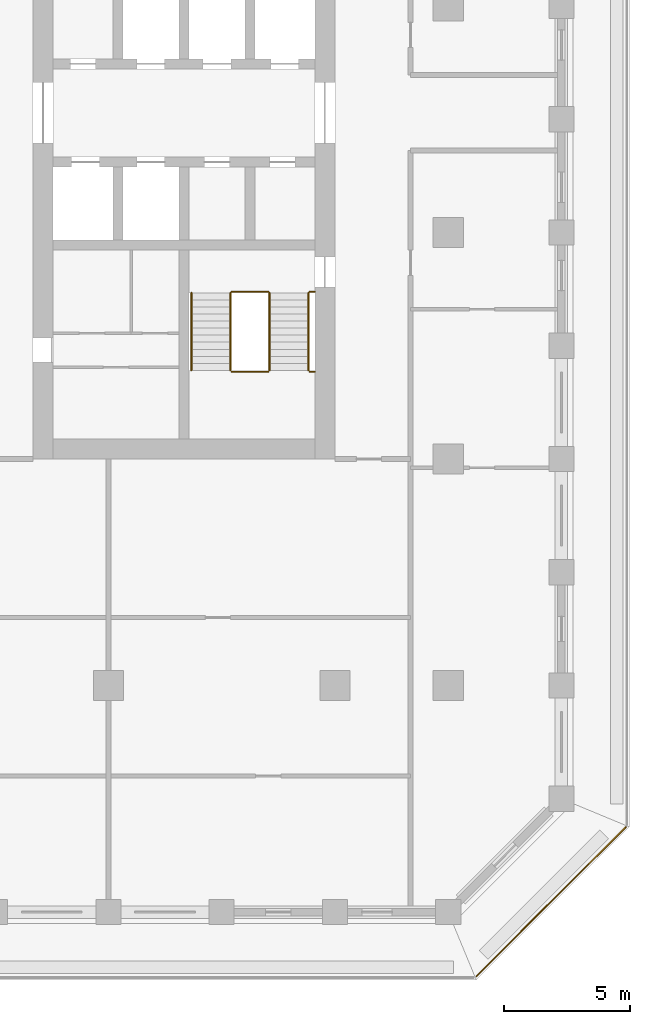
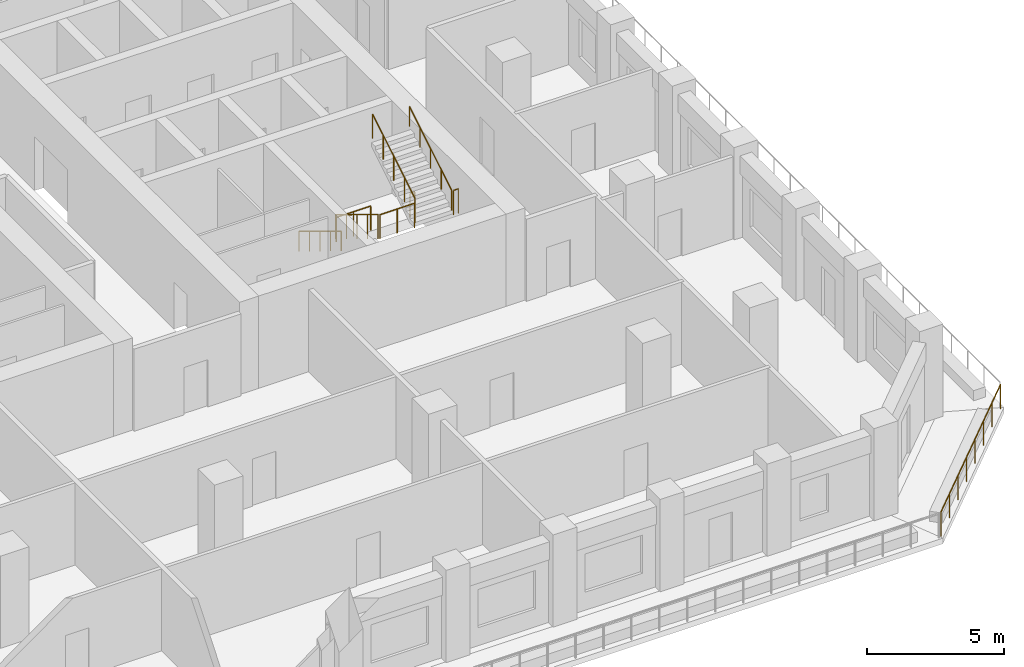
# One storey, part 11 of 16: 9 railings.
"""IFC4 building model written with IfcOpenShell, lengths in metres."""

from ifc_helpers import new_model, si_unit, direction, frame, origin, origin_2d, place, context, subcontext, project, spatial, circle, extrude, material, type_object, element, save


model = new_model("IFC4")

# Units and contexts
model_context = context("Model", 3, precision=1e-05, world=origin(), true_north=direction((0.0, 1.0)))
body_context = subcontext(model_context, "Body", "Model", "MODEL_VIEW")
ifc_project = project(units=[si_unit("LENGTHUNIT", "METRE"), si_unit("AREAUNIT", "SQUARE_METRE"), si_unit("VOLUMEUNIT", "CUBIC_METRE"), si_unit("PLANEANGLEUNIT", "RADIAN"), si_unit("MASSUNIT", "GRAM", prefix="KILO")], contexts=[model_context])

# Site, building, storey
site_placement = place(None, origin())
site = spatial("IfcSite", under=ifc_project, at=site_placement, CompositionType="ELEMENT")
building_placement = place(site_placement, origin())
building = spatial("IfcBuilding", under=site, at=building_placement, Name="Corbel Stack Research Tower", CompositionType="ELEMENT")
storey_placement = place(building_placement, frame((0.0, 0.0, 177.300048828125)))
storey = spatial("IfcBuildingStorey", under=building, at=storey_placement, Name="L40", CompositionType="ELEMENT", Elevation=177.300048828125)

# Railings
ifc_material_1 = material(Name="Steel S355", Category="steel")
railing_type_1 = type_object("IfcRailingType", Name="Stair guard 1100", PredefinedType="GUARDRAIL", material=ifc_material_1)
railing_1_placement = place(storey_placement, frame((13.85009765625, -2.39990234375, 0.1708984375)))
element("IfcRailing", 1, at=railing_1_placement, inside=storey, type_object=railing_type_1, Name="L40 ST-E1 stair guard 1", PredefinedType="GUARDRAIL", context=body_context, shape_type="SweptSolid", body=[
    extrude(circle(Radius=0.02392578125, at=origin_2d()), frame((0.0, 0.0, 1.076171875), z_axis=(0.0, -0.853666305674, 0.52082035152), x_axis=(1.0, 0.0, 0.0)), (0.0, 0.0, 1.0), 3.608154296875),
    extrude(circle(Radius=0.02099609375, at=origin_2d()), origin(), (0.0, 0.0, 1.0), 1.052001953125),
    extrude(circle(Radius=0.02099609375, at=origin_2d()), frame((0.0, -0.77001953125, 0.4697265625)), (0.0, 0.0, 1.0), 1.052001953125),
    extrude(circle(Radius=0.02099609375, at=origin_2d()), frame((0.0, -1.5400390625, 0.939453125)), (0.0, 0.0, 1.0), 1.052001953125),
    extrude(circle(Radius=0.02099609375, at=origin_2d()), frame((0.0, -2.31005859375, 1.409423828125)), (0.0, 0.0, 1.0), 1.052001953125),
    extrude(circle(Radius=0.02099609375, at=origin_2d()), frame((0.0, -3.080078125, 1.879150390625)), (0.0, 0.0, 1.0), 1.052001953125),
])
railing_2_placement = place(storey_placement, frame((13.89990234375, -5.530029296875, 2.050048828125)))
element("IfcRailing", 2, at=railing_2_placement, inside=storey, type_object=railing_type_1, Name="L40 ST-E1 stair guard 2", PredefinedType="GUARDRAIL", context=body_context, shape_type="SweptSolid", body=[
    extrude(circle(Radius=0.02392578125, at=origin_2d()), frame((0.0, 0.0, 1.076171875), z_axis=(1.0, 0.0, 0.0), x_axis=(0.0, 1.0, 0.0)), (0.0, 0.0, 1.0), 1.4501953125),
    extrude(circle(Radius=0.02099609375, at=origin_2d()), origin(), (0.0, 0.0, 1.0), 1.052001953125),
    extrude(circle(Radius=0.02099609375, at=origin_2d()), frame((0.72509765625, 0.0, 0.0)), (0.0, 0.0, 1.0), 1.052001953125),
    extrude(circle(Radius=0.02099609375, at=origin_2d()), frame((1.4501953125, 0.0, 0.0)), (0.0, 0.0, 1.0), 1.052001953125),
])
railing_3_placement = place(storey_placement, frame((17.0, -5.530029296875, 2.050048828125)))
element("IfcRailing", 3, at=railing_3_placement, inside=storey, type_object=railing_type_1, Name="L40 ST-E1 stair guard 3", PredefinedType="GUARDRAIL", context=body_context, shape_type="SweptSolid", body=[
    extrude(circle(Radius=0.02392578125, at=origin_2d()), frame((0.0, 0.0, 1.076171875), z_axis=(1.0, 0.0, 0.0), x_axis=(0.0, 1.0, 0.0)), (0.0, 0.0, 1.0), 0.199951171875),
    extrude(circle(Radius=0.02099609375, at=origin_2d()), origin(), (0.0, 0.0, 1.0), 1.052001953125),
    extrude(circle(Radius=0.02099609375, at=origin_2d()), frame((0.199951171875, 0.0, 0.0)), (0.0, 0.0, 1.0), 1.052001953125),
])
railing_4_placement = place(storey_placement, frame((15.39990234375, -5.47998046875, 2.220703125)))
element("IfcRailing", 4, at=railing_4_placement, inside=storey, type_object=railing_type_1, Name="L40 ST-E1 stair guard 4", PredefinedType="GUARDRAIL", context=body_context, shape_type="SweptSolid", body=[
    extrude(circle(Radius=0.02392578125, at=origin_2d()), frame((0.0, 0.0, 1.076171875), z_axis=(0.0, 0.853666305674, 0.52082035152), x_axis=(-1.0, 0.0, 0.0)), (0.0, 0.0, 1.0), 3.608154296875),
    extrude(circle(Radius=0.02099609375, at=origin_2d()), origin(), (0.0, 0.0, 1.0), 1.052001953125),
    extrude(circle(Radius=0.02099609375, at=origin_2d()), frame((0.0, 0.77001953125, 0.4697265625)), (0.0, 0.0, 1.0), 1.052001953125),
    extrude(circle(Radius=0.02099609375, at=origin_2d()), frame((0.0, 1.5400390625, 0.939453125)), (0.0, 0.0, 1.0), 1.052001953125),
    extrude(circle(Radius=0.02099609375, at=origin_2d()), frame((0.0, 2.31005859375, 1.409423828125)), (0.0, 0.0, 1.0), 1.052001953125),
    extrude(circle(Radius=0.02099609375, at=origin_2d()), frame((0.0, 3.080078125, 1.879150390625)), (0.0, 0.0, 1.0), 1.052001953125),
])
railing_5_placement = place(storey_placement, frame((13.89990234375, -2.35009765625, 0.0)))
element("IfcRailing", 5, at=railing_5_placement, inside=storey, type_object=railing_type_1, Name="L40 ST-E1 stair guard 5", PredefinedType="GUARDRAIL", context=body_context, shape_type="SweptSolid", body=[
    extrude(circle(Radius=0.02392578125, at=origin_2d()), frame((0.0, 0.0, 1.076171875), z_axis=(1.0, 0.0, 0.0), x_axis=(0.0, 1.0, 0.0)), (0.0, 0.0, 1.0), 1.4501953125),
    extrude(circle(Radius=0.02099609375, at=origin_2d()), origin(), (0.0, 0.0, 1.0), 1.052001953125),
    extrude(circle(Radius=0.02099609375, at=origin_2d()), frame((0.72509765625, 0.0, 0.0)), (0.0, 0.0, 1.0), 1.052001953125),
    extrude(circle(Radius=0.02099609375, at=origin_2d()), frame((1.4501953125, 0.0, 0.0)), (0.0, 0.0, 1.0), 1.052001953125),
])
railing_6_placement = place(storey_placement, frame((17.0, -2.35009765625, 0.0)))
element("IfcRailing", 6, at=railing_6_placement, inside=storey, type_object=railing_type_1, Name="L40 ST-E1 stair guard 6", PredefinedType="GUARDRAIL", context=body_context, shape_type="SweptSolid", body=[
    extrude(circle(Radius=0.02392578125, at=origin_2d()), frame((0.0, 0.0, 1.076171875), z_axis=(1.0, 0.0, 0.0), x_axis=(0.0, 1.0, 0.0)), (0.0, 0.0, 1.0), 0.199951171875),
    extrude(circle(Radius=0.02099609375, at=origin_2d()), origin(), (0.0, 0.0, 1.0), 1.052001953125),
    extrude(circle(Radius=0.02099609375, at=origin_2d()), frame((0.199951171875, 0.0, 0.0)), (0.0, 0.0, 1.0), 1.052001953125),
])
ifc_material_2 = material(Name="Steel S355", Category="steel")
railing_type_2 = type_object("IfcRailingType", Name="Stair handrail 900", PredefinedType="HANDRAIL", material=ifc_material_2)
railing_7_placement = place(storey_placement, frame((12.300048828125, -2.39990234375, 0.1708984375)))
element("IfcRailing", 7, at=railing_7_placement, inside=storey, type_object=railing_type_2, Name="L40 ST-E1 stair handrail 1", PredefinedType="HANDRAIL", context=body_context, shape_type="SweptSolid", body=[
    extrude(circle(Radius=0.02392578125, at=origin_2d()), frame((0.0, 0.0, 0.8759765625), z_axis=(0.0, -0.853666305674, 0.52082035152), x_axis=(1.0, 0.0, 0.0)), (0.0, 0.0, 1.0), 3.608154296875),
    extrude(circle(Radius=0.02099609375, at=origin_2d()), origin(), (0.0, 0.0, 1.0), 0.851806640625),
    extrude(circle(Radius=0.02099609375, at=origin_2d()), frame((0.0, -0.77001953125, 0.4697265625)), (0.0, 0.0, 1.0), 0.851806640625),
    extrude(circle(Radius=0.02099609375, at=origin_2d()), frame((0.0, -1.5400390625, 0.939453125)), (0.0, 0.0, 1.0), 0.851806640625),
    extrude(circle(Radius=0.02099609375, at=origin_2d()), frame((0.0, -2.31005859375, 1.409423828125)), (0.0, 0.0, 1.0), 0.851806640625),
    extrude(circle(Radius=0.02099609375, at=origin_2d()), frame((0.0, -3.080078125, 1.879150390625)), (0.0, 0.0, 1.0), 0.851806640625),
])
railing_8_placement = place(storey_placement, frame((16.949951171875, -5.47998046875, 2.220703125)))
element("IfcRailing", 8, at=railing_8_placement, inside=storey, type_object=railing_type_2, Name="L40 ST-E1 stair handrail 2", PredefinedType="HANDRAIL", context=body_context, shape_type="SweptSolid", body=[
    extrude(circle(Radius=0.02392578125, at=origin_2d()), frame((0.0, 0.0, 0.8759765625), z_axis=(0.0, 0.853666305674, 0.52082035152), x_axis=(-1.0, 0.0, 0.0)), (0.0, 0.0, 1.0), 3.608154296875),
    extrude(circle(Radius=0.02099609375, at=origin_2d()), origin(), (0.0, 0.0, 1.0), 0.851806640625),
    extrude(circle(Radius=0.02099609375, at=origin_2d()), frame((0.0, 0.77001953125, 0.4697265625)), (0.0, 0.0, 1.0), 0.851806640625),
    extrude(circle(Radius=0.02099609375, at=origin_2d()), frame((0.0, 1.5400390625, 0.939453125)), (0.0, 0.0, 1.0), 0.851806640625),
    extrude(circle(Radius=0.02099609375, at=origin_2d()), frame((0.0, 2.31005859375, 1.409423828125)), (0.0, 0.0, 1.0), 0.851806640625),
    extrude(circle(Radius=0.02099609375, at=origin_2d()), frame((0.0, 3.080078125, 1.879150390625)), (0.0, 0.0, 1.0), 0.851806640625),
])
ifc_material_3 = material(Name="Powder-coated steel guard", Category="steel")
railing_type_3 = type_object("IfcRailingType", Name="Steel and glass guard 1100", PredefinedType="GUARDRAIL", material=ifc_material_3)
railing_9_placement = place(storey_placement, frame((23.627685546875, -29.54931640625, 0.0)))
element("IfcRailing", 9, at=railing_9_placement, inside=storey, type_object=railing_type_3, Name="Loggia guard L40 SE", PredefinedType="GUARDRAIL", context=body_context, shape_type="SweptSolid", body=[
    extrude(circle(Radius=0.02392578125, at=origin_2d()), frame((0.0, 0.0, 1.076171875), z_axis=(0.707106781187, 0.707106781187, 0.0), x_axis=(-0.707106781187, 0.707106781187, 0.0)), (0.0, 0.0, 1.0), 8.37451171875),
    extrude(circle(Radius=0.02099609375, at=origin_2d()), origin(), (0.0, 0.0, 1.0), 1.052001953125),
    extrude(circle(Radius=0.02099609375, at=origin_2d()), frame((0.845947265625, 0.845947265625, 0.0)), (0.0, 0.0, 1.0), 1.052001953125),
    extrude(circle(Radius=0.02099609375, at=origin_2d()), frame((1.69189453125, 1.69189453125, 0.0)), (0.0, 0.0, 1.0), 1.052001953125),
    extrude(circle(Radius=0.02099609375, at=origin_2d()), frame((2.537841796875, 2.537841796875, 0.0)), (0.0, 0.0, 1.0), 1.052001953125),
    extrude(circle(Radius=0.02099609375, at=origin_2d()), frame((3.3837890625, 3.3837890625, 0.0)), (0.0, 0.0, 1.0), 1.052001953125),
    extrude(circle(Radius=0.02099609375, at=origin_2d()), frame((4.229736328125, 4.229736328125, 0.0)), (0.0, 0.0, 1.0), 1.052001953125),
    extrude(circle(Radius=0.02099609375, at=origin_2d()), frame((5.07568359375, 5.07568359375, 0.0)), (0.0, 0.0, 1.0), 1.052001953125),
    extrude(circle(Radius=0.02099609375, at=origin_2d()), frame((5.921630859375, 5.921630859375, 0.0)), (0.0, 0.0, 1.0), 1.052001953125),
])

save(model, "model.ifc")
